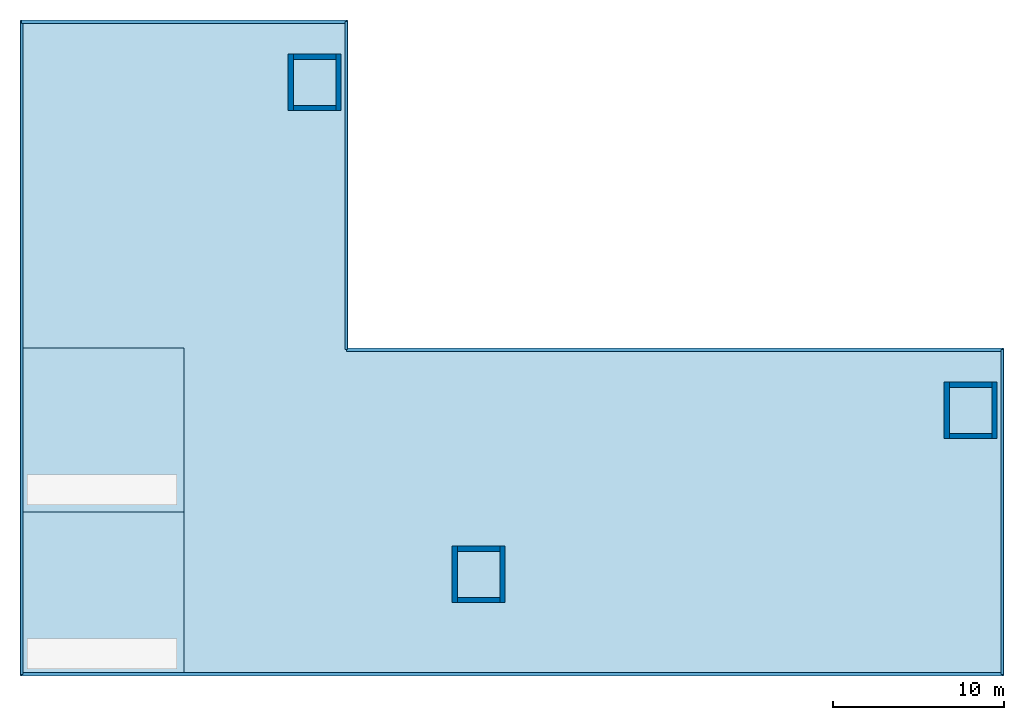
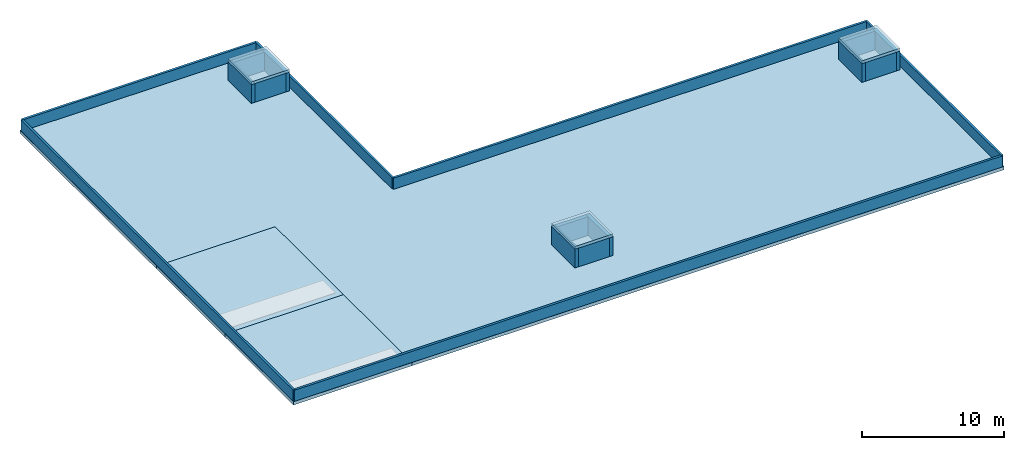
# One storey, part 1 of 2: 18 walls, 6 slabs.
"""IFC4 building model written with IfcOpenShell, lengths in metres."""

import ifcopenshell
import ifcopenshell.guid

model = None  # the IFC model being written
_history = None  # IfcOwnerHistory: only IFC2X3 demands one
_inside = {}  # id of a spatial element -> (the spatial element, [elements in it])
_under = {}  # id of a project, library or spatial element -> (it, [spatial elements below it])
_declared = {}  # id of a project -> (the project, [libraries it declares])
_typed = {}  # id of a type object -> (the type object, [elements of that type])
_made_of = {}  # id of a material, layer set ... -> (it, [elements and type objects made of it])


def new_model(schema):
    """Start an empty IFC model of exactly this schema.

    Asked for "IFC4X3", IfcOpenShell would pick the latest addendum, in which some entities
    have other attributes; the version numbers below select the first issue.
    IFC2X3 requires an IfcOwnerHistory on every rooted entity: one is made here for all.
    """
    global model, _history
    if schema == "IFC4X3":
        model = ifcopenshell.file(schema_version=(4, 3, 0, 0))
    else:
        model = ifcopenshell.file(schema=schema)
    _inside.clear()
    _under.clear()
    _declared.clear()
    _typed.clear()
    _made_of.clear()
    _history = None
    if model.schema == "IFC2X3":
        org = make("IfcOrganization", Name="unknown")
        user = make(
            "IfcPersonAndOrganization",
            ThePerson=make("IfcPerson", FamilyName="unknown"),
            TheOrganization=org,
        )
        app = make(
            "IfcApplication",
            ApplicationDeveloper=org,
            Version="unknown",
            ApplicationFullName="unknown",
            ApplicationIdentifier="unknown",
        )
        _history = make(
            "IfcOwnerHistory",
            OwningUser=user,
            OwningApplication=app,
            ChangeAction="ADDED",
            CreationDate=0,
        )
    return model


def make(cls, **values):
    """One entity of the class cls with the attributes given. An attribute that is None is left unset."""
    return model.create_entity(
        cls, **{name: value for name, value in values.items() if value is not None}
    )


def rooted(cls, **values):
    """An entity with a GlobalId (a new one), such as an element, a storey or a relation."""
    return make(cls, GlobalId=ifcopenshell.guid.new(), OwnerHistory=_history, **values)


def si_unit(unit_type, name, prefix=None):
    """IfcSIUnit, for example si_unit("LENGTHUNIT", "METRE", prefix="MILLI")."""
    return make("IfcSIUnit", UnitType=unit_type, Prefix=prefix, Name=name)


def assignment(units):
    """IfcUnitAssignment: the units of a project."""
    return None if units is None else make("IfcUnitAssignment", Units=units)


def point(xyz):
    """IfcCartesianPoint."""
    return None if xyz is None else make("IfcCartesianPoint", Coordinates=xyz)


def direction(xyz):
    """IfcDirection."""
    return None if xyz is None else make("IfcDirection", DirectionRatios=xyz)


def frame(location, z_axis=None, x_axis=None):
    """IfcAxis2Placement3D, a coordinate frame: its origin and axes. An axis left out is left unset."""
    return make(
        "IfcAxis2Placement3D",
        Location=point(location),
        Axis=direction(z_axis),
        RefDirection=direction(x_axis),
    )


def frame_2d(location, x_axis=None):
    """IfcAxis2Placement2D, a coordinate frame in the plane: its origin and x axis."""
    return make(
        "IfcAxis2Placement2D", Location=point(location), RefDirection=direction(x_axis)
    )


def origin():
    """The frame at (0, 0, 0) with its axes left unset."""
    return frame((0.0, 0.0, 0.0))


def place(relative_to, where):
    """IfcLocalPlacement: puts the frame where relative to a parent placement (None: the world)."""
    return make(
        "IfcLocalPlacement", PlacementRelTo=relative_to, RelativePlacement=where
    )


def context(
    kind, dimensions, precision=None, world=None, true_north=None, identifier=None
):
    """IfcGeometricRepresentationContext, for example the 3D "Model" context."""
    return make(
        "IfcGeometricRepresentationContext",
        ContextIdentifier=identifier,
        ContextType=kind,
        CoordinateSpaceDimension=dimensions,
        Precision=precision,
        WorldCoordinateSystem=world,
        TrueNorth=true_north,
    )


def subcontext(parent, identifier, kind, view, scale=None):
    """IfcGeometricRepresentationSubContext, for example "Body" below "Model"."""
    return make(
        "IfcGeometricRepresentationSubContext",
        ContextIdentifier=identifier,
        ContextType=kind,
        ParentContext=parent,
        TargetScale=scale,
        TargetView=view,
    )


def project(units=None, contexts=None):
    """IfcProject with its units and contexts."""
    return rooted(
        "IfcProject",
        Name="project",
        RepresentationContexts=contexts,
        UnitsInContext=assignment(units),
    )


def spatial(cls, under=None, at=None, **own):
    """A site, building, storey or space (cls), placed at a placement, below another one or the project."""
    s = rooted(cls, ObjectPlacement=at, **own)
    if under is not None:
        _under.setdefault(under.id(), (under, []))[1].append(s)
    return s


def polyline(points):
    """IfcPolyline through the points."""
    return make("IfcPolyline", Points=[point(p) for p in points])


def profile(cls, at=None, kind="AREA", **sizes):
    """A parametric profile (cls). Its sizes go by their IFC names, for example OverallWidth=200.0."""
    return make(cls, ProfileType=kind, Position=at, **sizes)


def rectangle(**sizes):
    """IfcRectangleProfileDef."""
    return profile("IfcRectangleProfileDef", **sizes)


def outline(outer, holes=None, kind="AREA"):
    """IfcArbitraryClosedProfileDef: a profile drawn as a closed curve; with holes, ...WithVoids."""
    if holes is None:
        return make("IfcArbitraryClosedProfileDef", ProfileType=kind, OuterCurve=outer)
    return make(
        "IfcArbitraryProfileDefWithVoids",
        ProfileType=kind,
        OuterCurve=outer,
        InnerCurves=holes,
    )


def extrude(swept, where, along, depth):
    """IfcExtrudedAreaSolid: the profile swept, set in the frame where, extruded along a direction by depth."""
    return make(
        "IfcExtrudedAreaSolid",
        SweptArea=swept,
        Position=where,
        ExtrudedDirection=direction(along),
        Depth=depth,
    )


def shape(context_of_items, identifier, shape_type, items):
    """IfcShapeRepresentation: the items that make up one representation, for example the "Body"."""
    return make(
        "IfcShapeRepresentation",
        ContextOfItems=context_of_items,
        RepresentationIdentifier=identifier,
        RepresentationType=shape_type,
        Items=items,
    )


def material(Name=None, Category=None):
    """IfcMaterial."""
    return make("IfcMaterial", Name=Name, Category=Category)


def layer(
    of_material, thickness, ventilated=None, Name=None, Category=None, Priority=None
):
    """IfcMaterialLayer: one layer of a wall or slab, of a material (None: an air gap)."""
    return make(
        "IfcMaterialLayer",
        Material=of_material,
        LayerThickness=thickness,
        IsVentilated=ventilated,
        Name=Name,
        Category=Category,
        Priority=Priority,
    )


def layer_set(layers, Name=None):
    """IfcMaterialLayerSet."""
    return make("IfcMaterialLayerSet", MaterialLayers=layers, LayerSetName=Name)


def made_of(thing, what):
    """Note that an element or type object is made of a material, layer set ...; save() writes the relation."""
    if what is not None:
        _made_of.setdefault(what.id(), (what, []))[1].append(thing)
    return thing


def type_object(cls, material=None, **own):
    """A type object (cls), such as IfcWallType, which elements share."""
    return made_of(rooted(cls, **own), material)


def element(
    cls,
    number,
    at=None,
    inside=None,
    cuts=None,
    type_object=None,
    material=None,
    context=None,
    identifier="Body",
    shape_type=None,
    held_by="IfcProductDefinitionShape",
    body=None,
    shapes=None,
    **own,
):
    """One element of the class cls, such as IfcWall. Its Tag is "e" and its number.

    at: its placement. inside: the storey or other place that contains it. cuts: it is an
    opening in that element (IfcRelVoidsElement). A single representation is given by context,
    identifier, shape_type and body (its items); several are given by shapes. held_by: the class
    of the entity that holds the representations. save() writes the other relations.
    """
    e = rooted(cls, Tag="e%d" % number, ObjectPlacement=at, **own)
    if body is not None:
        shapes = [shape(context, identifier, shape_type, body)]
    if shapes is not None:
        e.Representation = make(held_by, Representations=shapes)
    if inside is not None:
        _inside.setdefault(inside.id(), (inside, []))[1].append(e)
    if cuts is not None:
        rooted(
            "IfcRelVoidsElement", RelatingBuildingElement=cuts, RelatedOpeningElement=e
        )
    if type_object is not None:
        _typed.setdefault(type_object.id(), (type_object, []))[1].append(e)
    return made_of(e, material)


def aggregate(whole, parts):
    """IfcRelAggregates: a whole, such as a stair, and the parts it consists of."""
    return rooted("IfcRelAggregates", RelatingObject=whole, RelatedObjects=parts)


def save(model, path):
    """Write the relations noted so far, then the file.

    IfcRelAggregates (storeys below a building ...), IfcRelContainedInSpatialStructure (elements
    in a storey), IfcRelDefinesByType, IfcRelAssociatesMaterial and IfcRelDeclares: one each for
    every whole, place, type object, material and project.
    """
    for whole, parts in _under.values():
        aggregate(whole, parts)
    for where, things in _inside.values():
        rooted(
            "IfcRelContainedInSpatialStructure",
            RelatedElements=things,
            RelatingStructure=where,
        )
    for kind, things in _typed.values():
        rooted("IfcRelDefinesByType", RelatedObjects=things, RelatingType=kind)
    for what, things in _made_of.values():
        rooted("IfcRelAssociatesMaterial", RelatedObjects=things, RelatingMaterial=what)
    for by, libraries in _declared.values():
        rooted("IfcRelDeclares", RelatingContext=by, RelatedDefinitions=libraries)
    model.write(path)


model = new_model("IFC4")

# Units and contexts
model_context = context("Model", 3, precision=1e-05, world=origin(), true_north=direction((0.0, 1.0)))
body_context = subcontext(model_context, "Body", "Model", "MODEL_VIEW")
ifc_project = project(units=[si_unit("LENGTHUNIT", "METRE"), si_unit("AREAUNIT", "SQUARE_METRE"), si_unit("VOLUMEUNIT", "CUBIC_METRE"), si_unit("PLANEANGLEUNIT", "RADIAN"), si_unit("MASSUNIT", "GRAM", prefix="KILO")], contexts=[model_context])

# Site, building, storey
site_placement = place(None, origin())
site = spatial("IfcSite", under=ifc_project, at=site_placement, CompositionType="ELEMENT")
building_placement = place(site_placement, origin())
building = spatial("IfcBuilding", under=site, at=building_placement, Name="Coralgate Yard Interchange", CompositionType="ELEMENT")
storey_placement = place(building_placement, frame((0.0, 0.0, 27.300048828125)))
storey = spatial("IfcBuildingStorey", under=building, at=storey_placement, Name="RF", CompositionType="ELEMENT", Elevation=27.300048828125)

# Slabs
ifc_material_1 = material(Name="Concrete C40/50", Category="concrete")
ifc_layer_1 = layer(ifc_material_1, 0.239990234375)
ifc_layer_set_1 = layer_set([ifc_layer_1], Name="Concrete C40/50")
slab_type_1 = type_object("IfcSlabType", Name="SLB-CAP240", PredefinedType="ROOF", material=ifc_layer_set_1)
slab_1_placement = place(storey_placement, frame((0.0, 0.0, 1.599853515625)))
element("IfcSlab", 1, at=slab_1_placement, inside=storey, type_object=slab_type_1, Name="FFL-01 lift overrun roof slab", PredefinedType="ROOF", context=body_context, shape_type="SweptSolid", body=[
    extrude(outline(polyline([(15.699951171875, 33.10009765625), (18.800048828125, 33.10009765625), (18.800048828125, 36.39990234375), (15.699951171875, 36.39990234375), (15.699951171875, 33.10009765625)])), origin(), (0.0, 0.0, 1.0), 0.239990234375),
])
slab_2_placement = place(storey_placement, frame((0.0, 0.0, 1.599853515625)))
element("IfcSlab", 2, at=slab_2_placement, inside=storey, type_object=slab_type_1, Name="FFL-02 lift overrun roof slab", PredefinedType="ROOF", context=body_context, shape_type="SweptSolid", body=[
    extrude(outline(polyline([(54.10009765625, 13.89990234375), (57.199951171875, 13.89990234375), (57.199951171875, 17.199951171875), (54.10009765625, 17.199951171875), (54.10009765625, 13.89990234375)])), origin(), (0.0, 0.0, 1.0), 0.239990234375),
])
slab_3_placement = place(storey_placement, frame((0.0, 0.0, 1.599853515625)))
element("IfcSlab", 3, at=slab_3_placement, inside=storey, type_object=slab_type_1, Name="LF-01 lift overrun roof slab", PredefinedType="ROOF", context=body_context, shape_type="SweptSolid", body=[
    extrude(outline(polyline([(25.300048828125, 4.300048828125), (28.39990234375, 4.300048828125), (28.39990234375, 7.60009765625), (25.300048828125, 7.60009765625), (25.300048828125, 4.300048828125)])), origin(), (0.0, 0.0, 1.0), 0.239990234375),
])
ifc_layer_2 = layer(ifc_material_1, 0.280029296875)
ifc_layer_set_2 = layer_set([ifc_layer_2], Name="Concrete C40/50")
slab_type_2 = type_object("IfcSlabType", Name="SLB-SL-RF280", PredefinedType="ROOF", material=ifc_layer_set_2)
slab_4_placement = place(storey_placement, frame((0.0, 0.0, -0.280029296875)))
element("IfcSlab", 4, at=slab_4_placement, inside=storey, type_object=slab_type_2, Name="RF flat concrete roof bay 1 over L05", PredefinedType="ROOF", context=body_context, shape_type="SweptSolid", body=[
    extrude(outline(polyline([(0.0, 0.0), (9.60009765625, 0.0), (9.60009765625, 9.60009765625), (0.0, 9.60009765625), (0.0, 0.0)])), origin(), (0.0, 0.0, 1.0), 0.280029296875),
])
slab_5_placement = place(storey_placement, frame((0.0, 0.0, -0.280029296875)))
element("IfcSlab", 5, at=slab_5_placement, inside=storey, type_object=slab_type_2, Name="RF flat concrete roof bay 2 over L05", PredefinedType="ROOF", context=body_context, shape_type="SweptSolid", body=[
    extrude(outline(polyline([(0.0, 9.60009765625), (9.60009765625, 9.60009765625), (9.60009765625, 19.199951171875), (0.0, 19.199951171875), (0.0, 9.60009765625)])), origin(), (0.0, 0.0, 1.0), 0.280029296875),
])
slab_6_placement = place(storey_placement, frame((0.0, 0.0, -0.280029296875)))
element("IfcSlab", 6, at=slab_6_placement, inside=storey, type_object=slab_type_2, Name="RF insulated flat concrete roof over L05", PredefinedType="ROOF", context=body_context, shape_type="SweptSolid", body=[
    extrude(outline(polyline([(9.60009765625, 9.60009765625), (9.60009765625, 19.199951171875), (0.0, 19.199951171875), (0.0, 28.800048828125), (0.0, 38.39990234375), (9.60009765625, 38.39990234375), (19.199951171875, 38.39990234375), (19.199951171875, 28.800048828125), (19.199951171875, 19.199951171875), (28.800048828125, 19.199951171875), (38.39990234375, 19.199951171875), (48.0, 19.199951171875), (57.60009765625, 19.199951171875), (57.60009765625, 9.60009765625), (57.60009765625, 0.0), (48.0, 0.0), (38.39990234375, 0.0), (28.800048828125, 0.0), (19.199951171875, 0.0), (9.60009765625, 0.0), (9.60009765625, 9.60009765625)])), origin(), (0.0, 0.0, 1.0), 0.280029296875),
])

# Walls
ifc_layer_3 = layer(ifc_material_1, 0.300048828125)
ifc_layer_set_3 = layer_set([ifc_layer_3], Name="Concrete C40/50")
wall_type_1 = type_object("IfcWallType", Name="WAL-CW300", PredefinedType="SHEAR", material=ifc_layer_set_3)
for number, where, z_axis, x_axis, name in (
    (7, (15.85009765625, 33.10009765625, 0.0), (0.0, 0.0, 1.0), (0.0, 1.0, 0.0), "FFL-01 lift overrun wall W"),
    (8, (18.64990234375, 33.10009765625, 0.0), (0.0, 0.0, 1.0), (0.0, 1.0, 0.0), "FFL-01 lift overrun wall E"),
):
    element("IfcWall", number, at=place(storey_placement, frame(where, z_axis=z_axis, x_axis=x_axis)), inside=storey, type_object=wall_type_1, Name=name, PredefinedType="SHEAR", context=body_context, shape_type="SweptSolid", body=[
        extrude(rectangle(XDim=3.2998046875, YDim=0.300048828125, at=frame_2d((1.64990234375, 0.0))), origin(), (0.0, 0.0, 1.0), 1.599853515625),
    ])
for number, where, z_axis, x_axis, name in (
    (9, (16.0, 33.25, 0.0), (0.0, 0.0, 1.0), (1.0, 0.0, 0.0), "FFL-01 lift overrun wall S"),
    (10, (16.0, 36.25, 0.0), (0.0, 0.0, 1.0), (1.0, 0.0, 0.0), "FFL-01 lift overrun wall N"),
):
    element("IfcWall", number, at=place(storey_placement, frame(where, z_axis=z_axis, x_axis=x_axis)), inside=storey, type_object=wall_type_1, Name=name, PredefinedType="SHEAR", context=body_context, shape_type="SweptSolid", body=[
        extrude(rectangle(XDim=2.5, YDim=0.300048828125, at=frame_2d((1.25, 0.0))), origin(), (0.0, 0.0, 1.0), 1.599853515625),
    ])
for number, where, z_axis, x_axis, name in (
    (11, (54.25, 13.89990234375, 0.0), (0.0, 0.0, 1.0), (0.0, 1.0, 0.0), "FFL-02 lift overrun wall W"),
    (12, (57.050048828125, 13.89990234375, 0.0), (0.0, 0.0, 1.0), (0.0, 1.0, 0.0), "FFL-02 lift overrun wall E"),
):
    element("IfcWall", number, at=place(storey_placement, frame(where, z_axis=z_axis, x_axis=x_axis)), inside=storey, type_object=wall_type_1, Name=name, PredefinedType="SHEAR", context=body_context, shape_type="SweptSolid", body=[
        extrude(rectangle(XDim=3.300048828125, YDim=0.300048828125, at=frame_2d((1.64990234375, 0.0))), origin(), (0.0, 0.0, 1.0), 1.599853515625),
    ])
for number, where, z_axis, x_axis, name in (
    (13, (54.39990234375, 14.050048828125, 0.0), (0.0, 0.0, 1.0), (1.0, 0.0, 0.0), "FFL-02 lift overrun wall S"),
    (14, (54.39990234375, 17.050048828125, 0.0), (0.0, 0.0, 1.0), (1.0, 0.0, 0.0), "FFL-02 lift overrun wall N"),
):
    element("IfcWall", number, at=place(storey_placement, frame(where, z_axis=z_axis, x_axis=x_axis)), inside=storey, type_object=wall_type_1, Name=name, PredefinedType="SHEAR", context=body_context, shape_type="SweptSolid", body=[
        extrude(rectangle(XDim=2.5, YDim=0.300048828125, at=frame_2d((1.25, 0.0))), origin(), (0.0, 0.0, 1.0), 1.599853515625),
    ])
for number, where, z_axis, x_axis, name in (
    (15, (25.449951171875, 4.300048828125, 0.0), (0.0, 0.0, 1.0), (0.0, 1.0, 0.0), "LF-01 lift overrun wall W"),
    (16, (28.25, 4.300048828125, 0.0), (0.0, 0.0, 1.0), (0.0, 1.0, 0.0), "LF-01 lift overrun wall E"),
):
    element("IfcWall", number, at=place(storey_placement, frame(where, z_axis=z_axis, x_axis=x_axis)), inside=storey, type_object=wall_type_1, Name=name, PredefinedType="SHEAR", context=body_context, shape_type="SweptSolid", body=[
        extrude(rectangle(XDim=3.300048828125, YDim=0.300048828125, at=frame_2d((1.64990234375, 0.0))), origin(), (0.0, 0.0, 1.0), 1.599853515625),
    ])
for number, where, z_axis, x_axis, name in (
    (17, (25.60009765625, 4.449951171875, 0.0), (0.0, 0.0, 1.0), (1.0, 0.0, 0.0), "LF-01 lift overrun wall S"),
    (18, (25.60009765625, 7.449951171875, 0.0), (0.0, 0.0, 1.0), (1.0, 0.0, 0.0), "LF-01 lift overrun wall N"),
):
    element("IfcWall", number, at=place(storey_placement, frame(where, z_axis=z_axis, x_axis=x_axis)), inside=storey, type_object=wall_type_1, Name=name, PredefinedType="SHEAR", context=body_context, shape_type="SweptSolid", body=[
        extrude(rectangle(XDim=2.5, YDim=0.300048828125, at=frame_2d((1.25, 0.0))), origin(), (0.0, 0.0, 1.0), 1.599853515625),
    ])
ifc_material_2 = material(Name="Precast concrete C40/50", Category="concrete")
ifc_layer_4 = layer(ifc_material_2, 0.169921875)
ifc_layer_set_4 = layer_set([ifc_layer_4], Name="Precast concrete C40/50")
wall_type_2 = type_object("IfcWallType", Name="WAL-PR-170", PredefinedType="PARAPET", material=ifc_layer_set_4)
wall_1_placement = place(storey_placement, frame((19.10009765625, 38.300048828125, 0.0), z_axis=(0.0, 0.0, 1.0), x_axis=(0.0, -1.0, 0.0)))
element("IfcWall", 19, at=wall_1_placement, inside=storey, type_object=wall_type_2, Name="RF perimeter precast parapet wall 2", PredefinedType="PARAPET", context=body_context, shape_type="SweptSolid", body=[
    extrude(rectangle(XDim=19.199951171875, YDim=0.169921875, at=frame_2d((9.60009765625, 0.0))), origin(), (0.0, 0.0, 1.0), 0.949951171875),
])
wall_2_placement = place(storey_placement, frame((57.5, 19.10009765625, 0.0), z_axis=(0.0, 0.0, 1.0), x_axis=(0.0, -1.0, 0.0)))
element("IfcWall", 20, at=wall_2_placement, inside=storey, type_object=wall_type_2, Name="RF perimeter precast parapet wall 4", PredefinedType="PARAPET", context=body_context, shape_type="SweptSolid", body=[
    extrude(rectangle(XDim=19.0, YDim=0.169921875, at=frame_2d((9.5, 0.0))), origin(), (0.0, 0.0, 1.0), 0.949951171875),
])
wall_3_placement = place(storey_placement, frame((0.10009765625, 0.10009765625, 0.0), z_axis=(0.0, 0.0, 1.0), x_axis=(0.0, 1.0, 0.0)))
element("IfcWall", 21, at=wall_3_placement, inside=storey, type_object=wall_type_2, Name="RF perimeter precast parapet wall 6", PredefinedType="PARAPET", context=body_context, shape_type="SweptSolid", body=[
    extrude(rectangle(XDim=38.199951171875, YDim=0.169921875, at=frame_2d((19.10009765625, 0.0))), origin(), (0.0, 0.0, 1.0), 0.949951171875),
])
ifc_layer_5 = layer(ifc_material_2, 0.18994140625)
ifc_layer_set_5 = layer_set([ifc_layer_5], Name="Precast concrete C40/50")
wall_type_3 = type_object("IfcWallType", Name="WAL-PR-190", PredefinedType="PARAPET", material=ifc_layer_set_5)
wall_4_placement = place(storey_placement, frame((0.10009765625, 38.300048828125, 0.0), z_axis=(0.0, 0.0, 1.0), x_axis=(1.0, 0.0, 0.0)))
element("IfcWall", 22, at=wall_4_placement, inside=storey, type_object=wall_type_3, Name="RF perimeter precast parapet wall 1", PredefinedType="PARAPET", context=body_context, shape_type="SweptSolid", body=[
    extrude(rectangle(XDim=19.0, YDim=0.18994140625, at=frame_2d((9.5, 0.0))), origin(), (0.0, 0.0, 1.0), 0.949951171875),
])
wall_5_placement = place(storey_placement, frame((19.10009765625, 19.10009765625, 0.0), z_axis=(0.0, 0.0, 1.0), x_axis=(1.0, 0.0, 0.0)))
element("IfcWall", 23, at=wall_5_placement, inside=storey, type_object=wall_type_3, Name="RF perimeter precast parapet wall 3", PredefinedType="PARAPET", context=body_context, shape_type="SweptSolid", body=[
    extrude(rectangle(XDim=38.39990234375, YDim=0.18994140625, at=frame_2d((19.199951171875, 0.0))), origin(), (0.0, 0.0, 1.0), 0.949951171875),
])
wall_6_placement = place(storey_placement, frame((57.5, 0.10009765625, 0.0), z_axis=(0.0, 0.0, 1.0), x_axis=(-1.0, 0.0, 0.0)))
element("IfcWall", 24, at=wall_6_placement, inside=storey, type_object=wall_type_3, Name="RF perimeter precast parapet wall 5", PredefinedType="PARAPET", context=body_context, shape_type="SweptSolid", body=[
    extrude(rectangle(XDim=57.39990234375, YDim=0.18994140625, at=frame_2d((28.699951171875, 0.0))), origin(), (0.0, 0.0, 1.0), 0.949951171875),
])

save(model, "model.ifc")
